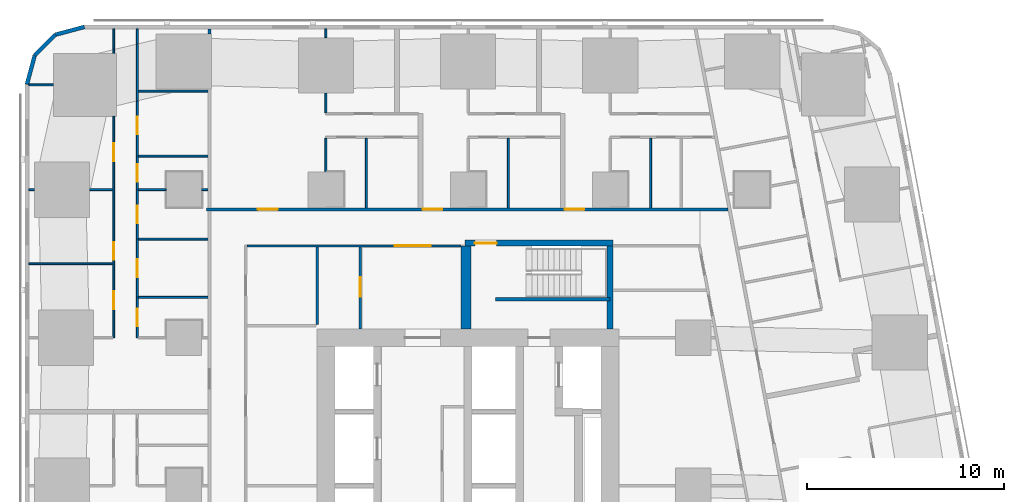
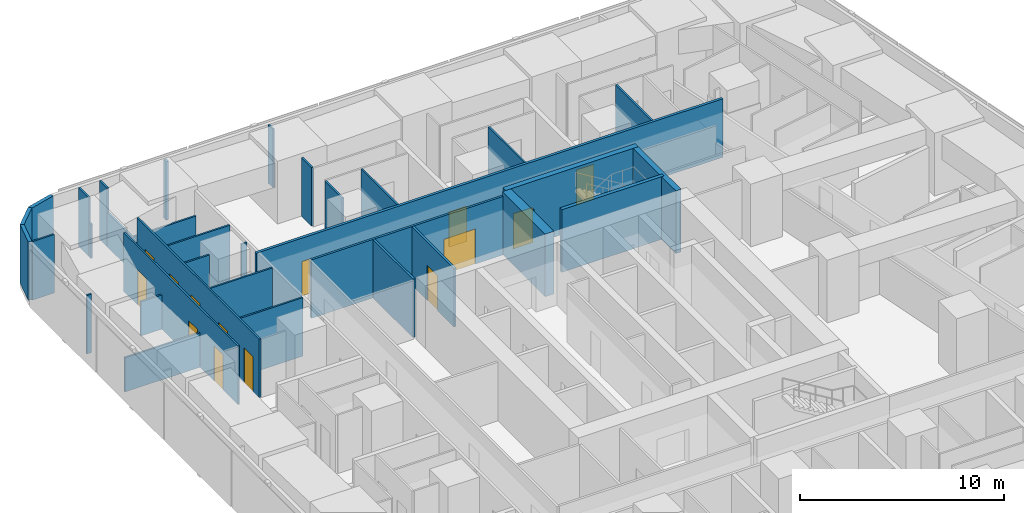
# One storey, part 8 of 15: 34 walls, 14 doors, 14 openings.
"""IFC4 building model written with IfcOpenShell, lengths in metres."""

from ifc_helpers import new_model, si_unit, direction, frame, frame_2d, origin, place, context, subcontext, project, spatial, rectangle, extrude, material, layer, layer_set, type_object, element, fill, save


model = new_model("IFC4")

# Units and contexts
model_context = context("Model", 3, precision=1e-05, world=origin(), true_north=direction((0.0, 1.0)))
body_context = subcontext(model_context, "Body", "Model", "MODEL_VIEW")
ifc_project = project(units=[si_unit("LENGTHUNIT", "METRE"), si_unit("AREAUNIT", "SQUARE_METRE"), si_unit("VOLUMEUNIT", "CUBIC_METRE"), si_unit("PLANEANGLEUNIT", "RADIAN"), si_unit("MASSUNIT", "GRAM", prefix="KILO")], contexts=[model_context])

# Site, building, storey
site_placement = place(None, origin())
site = spatial("IfcSite", under=ifc_project, at=site_placement, CompositionType="ELEMENT")
building_placement = place(site_placement, origin())
building = spatial("IfcBuilding", under=site, at=building_placement, Name="Sheger Commons Tower", CompositionType="ELEMENT")
storey_placement = place(building_placement, frame((0.0, 0.0, 65.0)))
storey = spatial("IfcBuildingStorey", under=building, at=storey_placement, Name="L16", CompositionType="ELEMENT", Elevation=65.0)

# Wall
ifc_material_1 = material(Name="Hollow concrete block masonry, skimmed both sides", Category="masonry")
ifc_layer_1 = layer(ifc_material_1, 0.14990234375)
ifc_layer_set_1 = layer_set([ifc_layer_1], Name="CORRIDOR WALL 150")
wall_type_1 = type_object("IfcWallType", Name="CORRIDOR WALL 150", PredefinedType="SOLIDWALL", material=ifc_layer_set_1)
wall_1_placement = place(storey_placement, frame((8.5, 45.40087890625, 0.0), z_axis=(0.0, 0.0, 1.0), x_axis=(0.0, 1.0, 0.0)))
element("IfcWall", 1, at=wall_1_placement, inside=storey, type_object=wall_type_1, Name="Corridor wall L16", PredefinedType="SOLIDWALL", context=body_context, shape_type="SweptSolid", body=[
    extrude(rectangle(XDim=0.2490234375, YDim=0.14990234375, at=frame_2d((0.12451171875, 0.0))), origin(), (0.0, 0.0, 1.0), 3.5),
])

# Wall, openings, doors
wall_2_placement = place(storey_placement, frame((8.35009765625, 36.5, 0.0), z_axis=(0.0, 0.0, 1.0), x_axis=(1.0, 0.0, 0.0)))
wall_2 = element("IfcWall", 2, at=wall_2_placement, inside=storey, type_object=wall_type_1, Name="Corridor wall L16", PredefinedType="SOLIDWALL", context=body_context, shape_type="SweptSolid", body=[
    extrude(rectangle(XDim=26.414794921875, YDim=0.14990234375, at=frame_2d((13.20751953125, 0.0))), origin(), (0.0, 0.0, 1.0), 3.5),
])
opening_1_placement = place(wall_2_placement, frame((2.60009765625, 0.0, 0.0)))
opening_1 = element("IfcOpeningElement", 3, at=opening_1_placement, cuts=wall_2, Name="Opening D1", PredefinedType="OPENING", context=body_context, shape_type="SweptSolid", body=[
    extrude(rectangle(XDim=1.0, YDim=2.10009765625, at=frame_2d((0.5, 1.050048828125))), frame((0.0, 0.0849609375, 0.0), z_axis=(0.0, -1.0, 0.0), x_axis=(1.0, 0.0, 0.0)), (0.0, 0.0, 1.0), 0.169921875),
])
opening_2_placement = place(wall_2_placement, frame((10.948974609375, 0.0, 0.0)))
opening_2 = element("IfcOpeningElement", 4, at=opening_2_placement, cuts=wall_2, Name="Opening D1", PredefinedType="OPENING", context=body_context, shape_type="SweptSolid", body=[
    extrude(rectangle(XDim=1.0, YDim=2.10009765625, at=frame_2d((0.5, 1.050048828125))), frame((0.0, 0.0849609375, 0.0), z_axis=(0.0, -1.0, 0.0), x_axis=(1.0, 0.0, 0.0)), (0.0, 0.0, 1.0), 0.169921875),
])
opening_3_placement = place(wall_2_placement, frame((18.14892578125, 0.0, 0.0)))
opening_3 = element("IfcOpeningElement", 5, at=opening_3_placement, cuts=wall_2, Name="Opening D1", PredefinedType="OPENING", context=body_context, shape_type="SweptSolid", body=[
    extrude(rectangle(XDim=1.0, YDim=2.10009765625, at=frame_2d((0.5, 1.050048828125))), frame((0.0, 0.0849609375, 0.0), z_axis=(0.0, -1.0, 0.0), x_axis=(1.0, 0.0, 0.0)), (0.0, 0.0, 1.0), 0.169921875),
])
ifc_material_2 = material(Name="Steel door set, fire rated", Category="steel")
door_type_1 = type_object("IfcDoorType", Name="FLAT ENTRANCE DOOR 1000x2100", OperationType="NOTDEFINED", PredefinedType="DOOR", material=ifc_material_2)
door_1_placement = place(opening_1_placement, origin())
door_1 = element("IfcDoor", 6, at=door_1_placement, inside=storey, type_object=door_type_1, Name="Flat entrance door", OperationType="SINGLE_SWING_LEFT", OverallHeight=2.10009765625, OverallWidth=1.0, PredefinedType="DOOR", context=body_context, shape_type="SweptSolid", body=[
    extrude(rectangle(XDim=1.0, YDim=2.10009765625, at=frame_2d((0.5, 1.050048828125))), frame((0.0, 0.02490234375, 0.0), z_axis=(0.0, -1.0, 0.0), x_axis=(1.0, 0.0, 0.0)), (0.0, 0.0, 1.0), 0.050048828125),
])
fill(opening_1, door_1)
door_2_placement = place(opening_2_placement, origin())
door_2 = element("IfcDoor", 7, at=door_2_placement, inside=storey, type_object=door_type_1, Name="Flat entrance door", OperationType="SINGLE_SWING_LEFT", OverallHeight=2.10009765625, OverallWidth=1.0, PredefinedType="DOOR", context=body_context, shape_type="SweptSolid", body=[
    extrude(rectangle(XDim=1.0, YDim=2.10009765625, at=frame_2d((0.5, 1.050048828125))), frame((0.0, 0.02490234375, 0.0), z_axis=(0.0, -1.0, 0.0), x_axis=(1.0, 0.0, 0.0)), (0.0, 0.0, 1.0), 0.050048828125),
])
fill(opening_2, door_2)
door_3_placement = place(opening_3_placement, origin())
door_3 = element("IfcDoor", 8, at=door_3_placement, inside=storey, type_object=door_type_1, Name="Flat entrance door", OperationType="SINGLE_SWING_LEFT", OverallHeight=2.10009765625, OverallWidth=1.0, PredefinedType="DOOR", context=body_context, shape_type="SweptSolid", body=[
    extrude(rectangle(XDim=1.0, YDim=2.10009765625, at=frame_2d((0.5, 1.050048828125))), frame((0.0, 0.02490234375, 0.0), z_axis=(0.0, -1.0, 0.0), x_axis=(1.0, 0.0, 0.0)), (0.0, 0.0, 1.0), 0.050048828125),
])
fill(opening_3, door_3)

# Walls
ifc_material_3 = material(Name="Rendered concrete block masonry, dark grey", Category="masonry")
ifc_layer_2 = layer(ifc_material_3, 0.199951171875)
ifc_layer_set_2 = layer_set([ifc_layer_2], Name="FACADE WALL 200")
wall_type_2 = type_object("IfcWallType", Name="FACADE WALL 200", PredefinedType="SOLIDWALL", material=ifc_layer_set_2)
wall_3_placement = place(storey_placement, frame((2.1630859375, 45.75, 0.0), z_axis=(0.0, 0.0, 1.0), x_axis=(-0.965832000415, -0.259168954497, 0.0)))
element("IfcWall", 9, at=wall_3_placement, inside=storey, type_object=wall_type_2, Name="Facade wall L16", PredefinedType="SOLIDWALL", context=body_context, shape_type="SweptSolid", body=[
    extrude(rectangle(XDim=1.512939453125, YDim=0.199951171875, at=frame_2d((0.75634765625, 0.0))), origin(), (0.0, 0.0, 1.0), 3.5),
])
wall_4_placement = place(storey_placement, frame((0.701904296875, 45.35791015625, 0.0), z_axis=(0.0, 0.0, 1.0), x_axis=(-0.707106781187, -0.707106781187, 0.0)))
element("IfcWall", 10, at=wall_4_placement, inside=storey, type_object=wall_type_2, Name="Facade wall L16", PredefinedType="SOLIDWALL", context=body_context, shape_type="SweptSolid", body=[
    extrude(rectangle(XDim=1.498779296875, YDim=0.199951171875, at=frame_2d((0.74951171875, 0.0))), origin(), (0.0, 0.0, 1.0), 3.5),
])
wall_5_placement = place(storey_placement, frame((-0.35791015625, 44.298095703125, 0.0), z_axis=(0.0, 0.0, 1.0), x_axis=(-0.259168954497, -0.965832000415, 0.0)))
element("IfcWall", 11, at=wall_5_placement, inside=storey, type_object=wall_type_2, Name="Facade wall L16", PredefinedType="SOLIDWALL", context=body_context, shape_type="SweptSolid", body=[
    extrude(rectangle(XDim=1.512939453125, YDim=0.199951171875, at=frame_2d((0.75634765625, 0.0))), origin(), (0.0, 0.0, 1.0), 3.5),
])

# Wall, openings, doors
ifc_material_4 = material(Name="Gypsum board on steel studs", Category="steel")
ifc_layer_3 = layer(ifc_material_4, 0.10009765625)
ifc_layer_set_3 = layer_set([ifc_layer_3], Name="PARTITION 100")
wall_type_3 = type_object("IfcWallType", Name="PARTITION 100", PredefinedType="PARTITIONING", material=ifc_layer_set_3)
wall_6_placement = place(storey_placement, frame((3.64990234375, 30.0, 0.0), z_axis=(0.0, 0.0, 1.0), x_axis=(0.0, 1.0, 0.0)))
wall_6 = element("IfcWall", 12, at=wall_6_placement, inside=storey, type_object=wall_type_3, Name="Partition L16", PredefinedType="PARTITIONING", context=body_context, shape_type="SweptSolid", body=[
    extrude(rectangle(XDim=11.212890625, YDim=0.10009765625, at=frame_2d((5.6064453125, 0.0))), origin(), (0.0, 0.0, 1.0), 3.5),
])
opening_4_placement = place(wall_6_placement, frame((1.449951171875, 0.0, 0.0)))
opening_4 = element("IfcOpeningElement", 13, at=opening_4_placement, cuts=wall_6, Name="Opening D2", PredefinedType="OPENING", context=body_context, shape_type="SweptSolid", body=[
    extrude(rectangle(XDim=0.89990234375, YDim=2.10009765625, at=frame_2d((0.449951171875, 1.050048828125))), frame((0.0, 0.06005859375, 0.0), z_axis=(0.0, -1.0, 0.0), x_axis=(1.0, 0.0, 0.0)), (0.0, 0.0, 1.0), 0.1201171875),
])
opening_5_placement = place(wall_6_placement, frame((3.949951171875, 0.0, 0.0)))
opening_5 = element("IfcOpeningElement", 14, at=opening_5_placement, cuts=wall_6, Name="Opening D2", PredefinedType="OPENING", context=body_context, shape_type="SweptSolid", body=[
    extrude(rectangle(XDim=0.89990234375, YDim=2.10009765625, at=frame_2d((0.449951171875, 1.050048828125))), frame((0.0, 0.06005859375, 0.0), z_axis=(0.0, -1.0, 0.0), x_axis=(1.0, 0.0, 0.0)), (0.0, 0.0, 1.0), 0.1201171875),
])
opening_6_placement = place(wall_6_placement, frame((8.949951171875, 0.0, 0.0)))
opening_6 = element("IfcOpeningElement", 15, at=opening_6_placement, cuts=wall_6, Name="Opening D2", PredefinedType="OPENING", context=body_context, shape_type="SweptSolid", body=[
    extrude(rectangle(XDim=0.89990234375, YDim=2.10009765625, at=frame_2d((0.449951171875, 1.050048828125))), frame((0.0, 0.06005859375, 0.0), z_axis=(0.0, -1.0, 0.0), x_axis=(1.0, 0.0, 0.0)), (0.0, 0.0, 1.0), 0.1201171875),
])
ifc_material_5 = material(Name="Timber door set", Category="wood")
door_type_2 = type_object("IfcDoorType", Name="INTERNAL DOOR 900x2100", OperationType="NOTDEFINED", PredefinedType="DOOR", material=ifc_material_5)
door_4_placement = place(opening_4_placement, origin())
door_4 = element("IfcDoor", 16, at=door_4_placement, inside=storey, type_object=door_type_2, Name="Main bedroom door", OperationType="SINGLE_SWING_LEFT", OverallHeight=2.10009765625, OverallWidth=0.89990234375, PredefinedType="DOOR", context=body_context, shape_type="SweptSolid", body=[
    extrude(rectangle(XDim=0.89990234375, YDim=2.10009765625, at=frame_2d((0.449951171875, 1.050048828125))), frame((0.0, 0.02490234375, 0.0), z_axis=(0.0, -1.0, 0.0), x_axis=(1.0, 0.0, 0.0)), (0.0, 0.0, 1.0), 0.050048828125),
])
fill(opening_4, door_4)
door_5_placement = place(opening_5_placement, origin())
door_5 = element("IfcDoor", 17, at=door_5_placement, inside=storey, type_object=door_type_2, Name="Bedroom 2 door", OperationType="SINGLE_SWING_LEFT", OverallHeight=2.10009765625, OverallWidth=0.89990234375, PredefinedType="DOOR", context=body_context, shape_type="SweptSolid", body=[
    extrude(rectangle(XDim=0.89990234375, YDim=2.10009765625, at=frame_2d((0.449951171875, 1.050048828125))), frame((0.0, 0.02490234375, 0.0), z_axis=(0.0, -1.0, 0.0), x_axis=(1.0, 0.0, 0.0)), (0.0, 0.0, 1.0), 0.050048828125),
])
fill(opening_5, door_5)
door_6_placement = place(opening_6_placement, origin())
door_6 = element("IfcDoor", 18, at=door_6_placement, inside=storey, type_object=door_type_2, Name="Bedroom 3 door", OperationType="SINGLE_SWING_RIGHT", OverallHeight=2.10009765625, OverallWidth=0.89990234375, PredefinedType="DOOR", context=body_context, shape_type="SweptSolid", body=[
    extrude(rectangle(XDim=0.89990234375, YDim=2.10009765625, at=frame_2d((0.449951171875, 1.050048828125))), frame((0.0, 0.02490234375, 0.0), z_axis=(0.0, -1.0, 0.0), x_axis=(1.0, 0.0, 0.0)), (0.0, 0.0, 1.0), 0.050048828125),
])
fill(opening_6, door_6)

# Walls
wall_7_placement = place(storey_placement, frame((3.64990234375, 44.4150390625, 0.0), z_axis=(0.0, 0.0, 1.0), x_axis=(0.0, 1.0, 0.0)))
element("IfcWall", 19, at=wall_7_placement, inside=storey, type_object=wall_type_3, Name="Partition L16", PredefinedType="PARTITIONING", context=body_context, shape_type="SweptSolid", body=[
    extrude(rectangle(XDim=0.196044921875, YDim=0.10009765625, at=frame_2d((0.09814453125, 0.0))), origin(), (0.0, 0.0, 1.0), 2.050048828125),
])
wall_8_placement = place(storey_placement, frame((3.64990234375, 44.611083984375, 0.0), z_axis=(0.0, 0.0, 1.0), x_axis=(0.0, 1.0, 0.0)))
element("IfcWall", 20, at=wall_8_placement, inside=storey, type_object=wall_type_3, Name="Partition L16", PredefinedType="PARTITIONING", context=body_context, shape_type="SweptSolid", body=[
    extrude(rectangle(XDim=1.038818359375, YDim=0.10009765625, at=frame_2d((0.51953125, 0.0))), origin(), (0.0, 0.0, 1.0), 3.5),
])

# Wall, openings, doors
wall_9_placement = place(storey_placement, frame((4.85009765625, 30.0, 0.0), z_axis=(0.0, 0.0, 1.0), x_axis=(0.0, 1.0, 0.0)))
wall_9 = element("IfcWall", 21, at=wall_9_placement, inside=storey, type_object=wall_type_3, Name="Partition L16", PredefinedType="PARTITIONING", context=body_context, shape_type="SweptSolid", body=[
    extrude(rectangle(XDim=11.993896484375, YDim=0.10009765625, at=frame_2d((5.9970703125, 0.0))), origin(), (0.0, 0.0, 1.0), 3.5),
])
opening_7_placement = place(wall_9_placement, frame((0.574951171875, 0.0, 0.0)))
opening_7 = element("IfcOpeningElement", 22, at=opening_7_placement, cuts=wall_9, Name="Opening D2", PredefinedType="OPENING", context=body_context, shape_type="SweptSolid", body=[
    extrude(rectangle(XDim=0.89990234375, YDim=2.10009765625, at=frame_2d((0.449951171875, 1.050048828125))), frame((0.0, 0.06005859375, 0.0), z_axis=(0.0, -1.0, 0.0), x_axis=(1.0, 0.0, 0.0)), (0.0, 0.0, 1.0), 0.1201171875),
])
opening_8_placement = place(wall_9_placement, frame((5.799072265625, 0.0, 0.0)))
opening_8 = element("IfcOpeningElement", 23, at=opening_8_placement, cuts=wall_9, Name="Opening D2", PredefinedType="OPENING", context=body_context, shape_type="SweptSolid", body=[
    extrude(rectangle(XDim=0.89990234375, YDim=2.10009765625, at=frame_2d((0.449951171875, 1.050048828125))), frame((0.0, 0.06005859375, 0.0), z_axis=(0.0, -1.0, 0.0), x_axis=(1.0, 0.0, 0.0)), (0.0, 0.0, 1.0), 0.1201171875),
])
opening_9_placement = place(wall_9_placement, frame((7.89990234375, 0.0, 0.0)))
opening_9 = element("IfcOpeningElement", 24, at=opening_9_placement, cuts=wall_9, Name="Opening D2", PredefinedType="OPENING", context=body_context, shape_type="SweptSolid", body=[
    extrude(rectangle(XDim=0.89990234375, YDim=2.10009765625, at=frame_2d((0.449951171875, 1.050048828125))), frame((0.0, 0.06005859375, 0.0), z_axis=(0.0, -1.0, 0.0), x_axis=(1.0, 0.0, 0.0)), (0.0, 0.0, 1.0), 0.1201171875),
])
opening_10_placement = place(wall_9_placement, frame((3.074951171875, 0.0, 0.0)))
opening_10 = element("IfcOpeningElement", 25, at=opening_10_placement, cuts=wall_9, Name="Opening D2", PredefinedType="OPENING", context=body_context, shape_type="SweptSolid", body=[
    extrude(rectangle(XDim=0.89990234375, YDim=2.10009765625, at=frame_2d((0.449951171875, 1.050048828125))), frame((0.0, 0.06005859375, 0.0), z_axis=(0.0, -1.0, 0.0), x_axis=(1.0, 0.0, 0.0)), (0.0, 0.0, 1.0), 0.1201171875),
])
opening_11_placement = place(wall_9_placement, frame((10.300048828125, 0.0, 0.0)))
opening_11 = element("IfcOpeningElement", 26, at=opening_11_placement, cuts=wall_9, Name="Opening D2", PredefinedType="OPENING", context=body_context, shape_type="SweptSolid", body=[
    extrude(rectangle(XDim=0.89990234375, YDim=2.10009765625, at=frame_2d((0.449951171875, 1.050048828125))), frame((0.0, 0.06005859375, 0.0), z_axis=(0.0, -1.0, 0.0), x_axis=(1.0, 0.0, 0.0)), (0.0, 0.0, 1.0), 0.1201171875),
])
door_7_placement = place(opening_7_placement, origin())
door_7 = element("IfcDoor", 27, at=door_7_placement, inside=storey, type_object=door_type_2, Name="Bathroom door", OperationType="SINGLE_SWING_RIGHT", OverallHeight=2.10009765625, OverallWidth=0.89990234375, PredefinedType="DOOR", context=body_context, shape_type="SweptSolid", body=[
    extrude(rectangle(XDim=0.89990234375, YDim=2.10009765625, at=frame_2d((0.449951171875, 1.050048828125))), frame((0.0, 0.02490234375, 0.0), z_axis=(0.0, -1.0, 0.0), x_axis=(1.0, 0.0, 0.0)), (0.0, 0.0, 1.0), 0.050048828125),
])
fill(opening_7, door_7)
door_8_placement = place(opening_8_placement, origin())
door_8 = element("IfcDoor", 28, at=door_8_placement, inside=storey, type_object=door_type_2, Name="Store and laundry door", OperationType="SINGLE_SWING_LEFT", OverallHeight=2.10009765625, OverallWidth=0.89990234375, PredefinedType="DOOR", context=body_context, shape_type="SweptSolid", body=[
    extrude(rectangle(XDim=0.89990234375, YDim=2.10009765625, at=frame_2d((0.449951171875, 1.050048828125))), frame((0.0, 0.02490234375, 0.0), z_axis=(0.0, -1.0, 0.0), x_axis=(1.0, 0.0, 0.0)), (0.0, 0.0, 1.0), 0.050048828125),
])
fill(opening_8, door_8)
door_9_placement = place(opening_9_placement, origin())
door_9 = element("IfcDoor", 29, at=door_9_placement, inside=storey, type_object=door_type_2, Name="Laundry room door", OperationType="SINGLE_SWING_LEFT", OverallHeight=2.10009765625, OverallWidth=0.89990234375, PredefinedType="DOOR", context=body_context, shape_type="SweptSolid", body=[
    extrude(rectangle(XDim=0.89990234375, YDim=2.10009765625, at=frame_2d((0.449951171875, 1.050048828125))), frame((0.0, 0.02490234375, 0.0), z_axis=(0.0, -1.0, 0.0), x_axis=(1.0, 0.0, 0.0)), (0.0, 0.0, 1.0), 0.050048828125),
])
fill(opening_9, door_9)
door_10_placement = place(opening_10_placement, origin())
door_10 = element("IfcDoor", 30, at=door_10_placement, inside=storey, type_object=door_type_2, Name="Store door", OperationType="SINGLE_SWING_RIGHT", OverallHeight=2.10009765625, OverallWidth=0.89990234375, PredefinedType="DOOR", context=body_context, shape_type="SweptSolid", body=[
    extrude(rectangle(XDim=0.89990234375, YDim=2.10009765625, at=frame_2d((0.449951171875, 1.050048828125))), frame((0.0, 0.02490234375, 0.0), z_axis=(0.0, -1.0, 0.0), x_axis=(1.0, 0.0, 0.0)), (0.0, 0.0, 1.0), 0.050048828125),
])
fill(opening_10, door_10)
door_11_placement = place(opening_11_placement, origin())
door_11 = element("IfcDoor", 31, at=door_11_placement, inside=storey, type_object=door_type_2, Name="Store door", OperationType="SINGLE_SWING_LEFT", OverallHeight=2.10009765625, OverallWidth=0.89990234375, PredefinedType="DOOR", context=body_context, shape_type="SweptSolid", body=[
    extrude(rectangle(XDim=0.89990234375, YDim=2.10009765625, at=frame_2d((0.449951171875, 1.050048828125))), frame((0.0, 0.02490234375, 0.0), z_axis=(0.0, -1.0, 0.0), x_axis=(1.0, 0.0, 0.0)), (0.0, 0.0, 1.0), 0.050048828125),
])
fill(opening_11, door_11)

# Walls
wall_10_placement = place(storey_placement, frame((4.85009765625, 41.993896484375, 0.0), z_axis=(0.0, 0.0, 1.0), x_axis=(0.0, 1.0, 0.0)))
element("IfcWall", 32, at=wall_10_placement, inside=storey, type_object=wall_type_3, Name="Partition L16", PredefinedType="PARTITIONING", context=body_context, shape_type="SweptSolid", body=[
    extrude(rectangle(XDim=2.901123046875, YDim=0.10009765625, at=frame_2d((1.45068359375, 0.0))), origin(), (0.0, 0.0, 1.0), 2.050048828125),
])
wall_11_placement = place(storey_placement, frame((4.85009765625, 44.89501953125, 0.0), z_axis=(0.0, 0.0, 1.0), x_axis=(0.0, 1.0, 0.0)))
element("IfcWall", 33, at=wall_11_placement, inside=storey, type_object=wall_type_3, Name="Partition L16", PredefinedType="PARTITIONING", context=body_context, shape_type="SweptSolid", body=[
    extrude(rectangle(XDim=0.7548828125, YDim=0.10009765625, at=frame_2d((0.37744140625, 0.0))), origin(), (0.0, 0.0, 1.0), 3.5),
])
wall_12_placement = place(storey_placement, frame((-0.64990234375, 33.75, 0.0), z_axis=(0.0, 0.0, 1.0), x_axis=(1.0, 0.0, 0.0)))
element("IfcWall", 34, at=wall_12_placement, inside=storey, type_object=wall_type_3, Name="Partition L16", PredefinedType="PARTITIONING", context=body_context, shape_type="SweptSolid", body=[
    extrude(rectangle(XDim=4.25, YDim=0.10009765625, at=frame_2d((2.125, 0.0))), origin(), (0.0, 0.0, 1.0), 2.050048828125),
])
wall_13_placement = place(storey_placement, frame((-0.64990234375, 37.5, 0.0), z_axis=(0.0, 0.0, 1.0), x_axis=(1.0, 0.0, 0.0)))
element("IfcWall", 35, at=wall_13_placement, inside=storey, type_object=wall_type_3, Name="Partition L16", PredefinedType="PARTITIONING", context=body_context, shape_type="SweptSolid", body=[
    extrude(rectangle(XDim=0.27392578125, YDim=0.10009765625, at=frame_2d((0.136962890625, 0.0))), origin(), (0.0, 0.0, 1.0), 3.5),
])
wall_14_placement = place(storey_placement, frame((2.426025390625, 37.5, 0.0), z_axis=(0.0, 0.0, 1.0), x_axis=(1.0, 0.0, 0.0)))
element("IfcWall", 36, at=wall_14_placement, inside=storey, type_object=wall_type_3, Name="Partition L16", PredefinedType="PARTITIONING", context=body_context, shape_type="SweptSolid", body=[
    extrude(rectangle(XDim=1.174072265625, YDim=0.10009765625, at=frame_2d((0.5869140625, 0.0))), origin(), (0.0, 0.0, 1.0), 2.050048828125),
])
wall_15_placement = place(storey_placement, frame((-0.64990234375, 42.81396484375, 0.0), z_axis=(0.0, 0.0, 1.0), x_axis=(1.0, 0.0, 0.0)))
element("IfcWall", 37, at=wall_15_placement, inside=storey, type_object=wall_type_3, Name="Partition L16", PredefinedType="PARTITIONING", context=body_context, shape_type="SweptSolid", body=[
    extrude(rectangle(XDim=1.23486328125, YDim=0.10009765625, at=frame_2d((0.617431640625, 0.0))), origin(), (0.0, 0.0, 1.0), 3.5),
])
wall_16_placement = place(storey_placement, frame((4.89990234375, 34.9990234375, 0.0), z_axis=(0.0, 0.0, 1.0), x_axis=(1.0, 0.0, 0.0)))
element("IfcWall", 38, at=wall_16_placement, inside=storey, type_object=wall_type_3, Name="Partition L16", PredefinedType="PARTITIONING", context=body_context, shape_type="SweptSolid", body=[
    extrude(rectangle(XDim=3.525146484375, YDim=0.10009765625, at=frame_2d((1.7626953125, 0.0))), origin(), (0.0, 0.0, 1.0), 3.5),
])
wall_17_placement = place(storey_placement, frame((4.89990234375, 37.5, 0.0), z_axis=(0.0, 0.0, 1.0), x_axis=(1.0, 0.0, 0.0)))
element("IfcWall", 39, at=wall_17_placement, inside=storey, type_object=wall_type_3, Name="Partition L16", PredefinedType="PARTITIONING", context=body_context, shape_type="SweptSolid", body=[
    extrude(rectangle(XDim=1.399169921875, YDim=0.10009765625, at=frame_2d((0.69970703125, 0.0))), origin(), (0.0, 0.0, 1.0), 3.5),
])
wall_18_placement = place(storey_placement, frame((8.10107421875, 37.5, 0.0), z_axis=(0.0, 0.0, 1.0), x_axis=(1.0, 0.0, 0.0)))
element("IfcWall", 40, at=wall_18_placement, inside=storey, type_object=wall_type_3, Name="Partition L16", PredefinedType="PARTITIONING", context=body_context, shape_type="SweptSolid", body=[
    extrude(rectangle(XDim=0.323974609375, YDim=0.10009765625, at=frame_2d((0.162109375, 0.0))), origin(), (0.0, 0.0, 1.0), 3.5),
])
wall_19_placement = place(storey_placement, frame((4.89990234375, 42.4990234375, 0.0), z_axis=(0.0, 0.0, 1.0), x_axis=(1.0, 0.0, 0.0)))
element("IfcWall", 41, at=wall_19_placement, inside=storey, type_object=wall_type_3, Name="Partition L16", PredefinedType="PARTITIONING", context=body_context, shape_type="SweptSolid", body=[
    extrude(rectangle(XDim=3.525146484375, YDim=0.10009765625, at=frame_2d((1.7626953125, 0.0))), origin(), (0.0, 0.0, 1.0), 2.050048828125),
])
for number, where, z_axis, x_axis, name in (
    (42, (4.89990234375, 32.050048828125, 0.0), (0.0, 0.0, 1.0), (1.0, 0.0, 0.0), "Partition L16"),
    (43, (4.89990234375, 39.199951171875, 0.0), (0.0, 0.0, 1.0), (1.0, 0.0, 0.0), "Partition L16"),
):
    element("IfcWall", number, at=place(storey_placement, frame(where, z_axis=z_axis, x_axis=x_axis)), inside=storey, type_object=wall_type_3, Name=name, PredefinedType="PARTITIONING", context=body_context, shape_type="SweptSolid", body=[
        extrude(rectangle(XDim=3.525146484375, YDim=0.10009765625, at=frame_2d((1.7626953125, 0.0))), origin(), (0.0, 0.0, 1.0), 3.5),
    ])
wall_20_placement = place(storey_placement, frame((14.39990234375, 41.39990234375, 0.0), z_axis=(0.0, 0.0, 1.0), x_axis=(0.0, 1.0, 0.0)))
element("IfcWall", 44, at=wall_20_placement, inside=storey, type_object=wall_type_3, Name="Partition L16", PredefinedType="PARTITIONING", context=body_context, shape_type="SweptSolid", body=[
    extrude(rectangle(XDim=0.9990234375, YDim=0.10009765625, at=frame_2d((0.49951171875, 0.0))), origin(), (0.0, 0.0, 1.0), 3.5),
])
wall_21_placement = place(storey_placement, frame((14.39990234375, 45.200927734375, 0.0), z_axis=(0.0, 0.0, 1.0), x_axis=(0.0, 1.0, 0.0)))
element("IfcWall", 45, at=wall_21_placement, inside=storey, type_object=wall_type_3, Name="Partition L16", PredefinedType="PARTITIONING", context=body_context, shape_type="SweptSolid", body=[
    extrude(rectangle(XDim=0.448974609375, YDim=0.10009765625, at=frame_2d((0.224609375, 0.0))), origin(), (0.0, 0.0, 1.0), 3.5),
])
wall_22_placement = place(storey_placement, frame((14.39990234375, 38.40087890625, 0.0), z_axis=(0.0, 0.0, 1.0), x_axis=(0.0, 1.0, 0.0)))
element("IfcWall", 46, at=wall_22_placement, inside=storey, type_object=wall_type_3, Name="Partition L16", PredefinedType="PARTITIONING", context=body_context, shape_type="SweptSolid", body=[
    extrude(rectangle(XDim=1.69921875, YDim=0.10009765625, at=frame_2d((0.849609375, 0.0))), origin(), (0.0, 0.0, 1.0), 3.5),
])
for number, where, z_axis, x_axis, name in (
    (47, (16.449951171875, 36.574951171875, 0.0), (0.0, 0.0, 1.0), (0.0, 1.0, 0.0), "Partition L16"),
    (48, (23.64990234375, 36.574951171875, 0.0), (0.0, 0.0, 1.0), (0.0, 1.0, 0.0), "Partition L16"),
    (49, (30.85009765625, 36.574951171875, 0.0), (0.0, 0.0, 1.0), (0.0, 1.0, 0.0), "Partition L16"),
):
    element("IfcWall", number, at=place(storey_placement, frame(where, z_axis=z_axis, x_axis=x_axis)), inside=storey, type_object=wall_type_3, Name=name, PredefinedType="PARTITIONING", context=body_context, shape_type="SweptSolid", body=[
        extrude(rectangle(XDim=3.525146484375, YDim=0.10009765625, at=frame_2d((1.7626953125, 0.0))), origin(), (0.0, 0.0, 1.0), 3.5),
    ])
ifc_material_6 = material(Name="Gypsum board on steel studs, two layers each side, fire rated", Category="steel")
ifc_layer_4 = layer(ifc_material_6, 0.125)
ifc_layer_set_4 = layer_set([ifc_layer_4], Name="SERVICE WALL 125")
wall_type_4 = type_object("IfcWallType", Name="SERVICE WALL 125", PredefinedType="PARTITIONING", material=ifc_layer_set_4)
wall_23_placement = place(storey_placement, frame((13.949951171875, 30.6630859375, 0.0), z_axis=(0.0, 0.0, 1.0), x_axis=(0.0, 1.0, 0.0)))
element("IfcWall", 50, at=wall_23_placement, inside=storey, type_object=wall_type_4, Name="Service room wall L16", PredefinedType="PARTITIONING", context=body_context, shape_type="SweptSolid", body=[
    extrude(rectangle(XDim=3.923828125, YDim=0.125, at=frame_2d((1.9619140625, 0.0))), origin(), (0.0, 0.0, 1.0), 3.5),
])

# Wall, opening, door
wall_24_placement = place(storey_placement, frame((10.4130859375, 34.64990234375, 0.0), z_axis=(0.0, 0.0, 1.0), x_axis=(1.0, 0.0, 0.0)))
wall_24 = element("IfcWall", 51, at=wall_24_placement, inside=storey, type_object=wall_type_4, Name="Service room wall L16", PredefinedType="PARTITIONING", context=body_context, shape_type="SweptSolid", body=[
    extrude(rectangle(XDim=10.8369140625, YDim=0.125, at=frame_2d((5.41845703125, 0.0))), origin(), (0.0, 0.0, 1.0), 3.5),
])
opening_12_placement = place(wall_24_placement, frame((7.487060546875, 0.0, 0.0)))
opening_12 = element("IfcOpeningElement", 52, at=opening_12_placement, cuts=wall_24, Name="Opening D6", PredefinedType="OPENING", context=body_context, shape_type="SweptSolid", body=[
    extrude(rectangle(XDim=1.800048828125, YDim=2.10009765625, at=frame_2d((0.89990234375, 1.050048828125))), frame((0.0, 0.072509765625, 0.0), z_axis=(0.0, -1.0, 0.0), x_axis=(1.0, 0.0, 0.0)), (0.0, 0.0, 1.0), 0.14501953125),
])
ifc_material_7 = material(Name="Steel door set, fire rated", Category="steel")
door_type_3 = type_object("IfcDoorType", Name="LOBBY DOUBLE DOOR 1800x2100", OperationType="DOUBLE_DOOR_SINGLE_SWING", PredefinedType="DOOR", material=ifc_material_7)
door_12_placement = place(opening_12_placement, origin())
door_12 = element("IfcDoor", 53, at=door_12_placement, inside=storey, type_object=door_type_3, Name="Lift lobby north door", OperationType="DOUBLE_DOOR_SINGLE_SWING", OverallHeight=2.10009765625, OverallWidth=1.800048828125, PredefinedType="DOOR", context=body_context, shape_type="SweptSolid", body=[
    extrude(rectangle(XDim=1.800048828125, YDim=2.10009765625, at=frame_2d((0.89990234375, 1.050048828125))), frame((0.0, 0.02490234375, 0.0), z_axis=(0.0, -1.0, 0.0), x_axis=(1.0, 0.0, 0.0)), (0.0, 0.0, 1.0), 0.050048828125),
])
fill(opening_12, door_12)

wall_25_placement = place(storey_placement, frame((16.14990234375, 30.449951171875, 0.0), z_axis=(0.0, 0.0, 1.0), x_axis=(0.0, 1.0, 0.0)))
wall_25 = element("IfcWall", 54, at=wall_25_placement, inside=storey, type_object=wall_type_4, Name="Service room wall L16", PredefinedType="PARTITIONING", context=body_context, shape_type="SweptSolid", body=[
    extrude(rectangle(XDim=4.136962890625, YDim=0.125, at=frame_2d((2.068359375, 0.0))), origin(), (0.0, 0.0, 1.0), 3.5),
])
opening_13_placement = place(wall_25_placement, frame((1.625, 0.0, 0.0)))
opening_13 = element("IfcOpeningElement", 55, at=opening_13_placement, cuts=wall_25, Name="Opening D4", PredefinedType="OPENING", context=body_context, shape_type="SweptSolid", body=[
    extrude(rectangle(XDim=1.0, YDim=2.10009765625, at=frame_2d((0.5, 1.050048828125))), frame((0.0, 0.072509765625, 0.0), z_axis=(0.0, -1.0, 0.0), x_axis=(1.0, 0.0, 0.0)), (0.0, 0.0, 1.0), 0.14501953125),
])
ifc_material_8 = material(Name="Steel door set, fire rated", Category="steel")
door_type_4 = type_object("IfcDoorType", Name="SERVICE DOOR 1000x2100", OperationType="NOTDEFINED", PredefinedType="DOOR", material=ifc_material_8)
door_13_placement = place(opening_13_placement, origin())
door_13 = element("IfcDoor", 56, at=door_13_placement, inside=storey, type_object=door_type_4, Name="Telecom room door", OperationType="SINGLE_SWING_RIGHT", OverallHeight=2.10009765625, OverallWidth=1.0, PredefinedType="DOOR", context=body_context, shape_type="SweptSolid", body=[
    extrude(rectangle(XDim=1.0, YDim=2.10009765625, at=frame_2d((0.5, 1.050048828125))), frame((0.0, 0.02490234375, 0.0), z_axis=(0.0, -1.0, 0.0), x_axis=(1.0, 0.0, 0.0)), (0.0, 0.0, 1.0), 0.050048828125),
])
fill(opening_13, door_13)

ifc_material_9 = material(Name="Concrete C50/60", Category="concrete")
ifc_layer_5 = layer(ifc_material_9, 0.300048828125)
ifc_layer_set_5 = layer_set([ifc_layer_5], Name="STAIR CORE WALL 300")
wall_type_5 = type_object("IfcWallType", Name="STAIR CORE WALL 300", PredefinedType="SHEAR", material=ifc_layer_set_5)
wall_26_placement = place(storey_placement, frame((21.449951171875, 34.800048828125, 0.0), z_axis=(0.0, 0.0, 1.0), x_axis=(1.0, 0.0, 0.0)))
wall_26 = element("IfcWall", 57, at=wall_26_placement, inside=storey, type_object=wall_type_5, Name="STW-L16-S2N", PredefinedType="SHEAR", context=body_context, shape_type="SweptSolid", body=[
    extrude(rectangle(XDim=7.5, YDim=0.300048828125, at=frame_2d((3.75, 0.0))), origin(), (0.0, 0.0, 1.0), 3.75),
])
opening_14_placement = place(wall_26_placement, frame((0.5, 0.0, 0.0)))
opening_14 = element("IfcOpeningElement", 58, at=opening_14_placement, cuts=wall_26, Name="Opening D5", PredefinedType="OPENING", context=body_context, shape_type="SweptSolid", body=[
    extrude(rectangle(XDim=1.10009765625, YDim=2.10009765625, at=frame_2d((0.550048828125, 1.050048828125))), frame((0.0, 0.159912109375, 0.0), z_axis=(0.0, -1.0, 0.0), x_axis=(1.0, 0.0, 0.0)), (0.0, 0.0, 1.0), 0.320068359375),
])
ifc_material_10 = material(Name="Steel door set, fire rated", Category="steel")
door_type_5 = type_object("IfcDoorType", Name="STAIR DOOR 1100x2100", OperationType="NOTDEFINED", PredefinedType="DOOR", material=ifc_material_10)
door_14_placement = place(opening_14_placement, origin())
door_14 = element("IfcDoor", 59, at=door_14_placement, inside=storey, type_object=door_type_5, Name="Stair S2 door", OperationType="SINGLE_SWING_RIGHT", OverallHeight=2.10009765625, OverallWidth=1.10009765625, PredefinedType="DOOR", context=body_context, shape_type="SweptSolid", body=[
    extrude(rectangle(XDim=1.10009765625, YDim=2.10009765625, at=frame_2d((0.550048828125, 1.050048828125))), frame((0.0, 0.02490234375, 0.0), z_axis=(0.0, -1.0, 0.0), x_axis=(1.0, 0.0, 0.0)), (0.0, 0.0, 1.0), 0.050048828125),
])
fill(opening_14, door_14)

# Walls
wall_27_placement = place(storey_placement, frame((28.800048828125, 30.449951171875, 0.0), z_axis=(0.0, 0.0, 1.0), x_axis=(0.0, 1.0, 0.0)))
element("IfcWall", 60, at=wall_27_placement, inside=storey, type_object=wall_type_5, Name="STW-L16-S2E", PredefinedType="SHEAR", context=body_context, shape_type="SweptSolid", body=[
    extrude(rectangle(XDim=4.199951171875, YDim=0.300048828125, at=frame_2d((2.10009765625, 0.0))), origin(), (0.0, 0.0, 1.0), 3.75),
])
ifc_material_11 = material(Name="Concrete C50/60", Category="concrete")
ifc_layer_6 = layer(ifc_material_11, 0.5)
ifc_layer_set_6 = layer_set([ifc_layer_6], Name="STAIR CORE WALL 500")
wall_type_6 = type_object("IfcWallType", Name="STAIR CORE WALL 500", PredefinedType="SHEAR", material=ifc_layer_set_6)
wall_28_placement = place(storey_placement, frame((21.5, 30.449951171875, 0.0), z_axis=(0.0, 0.0, 1.0), x_axis=(0.0, 1.0, 0.0)))
element("IfcWall", 61, at=wall_28_placement, inside=storey, type_object=wall_type_6, Name="STW-L16-S2W", PredefinedType="SHEAR", context=body_context, shape_type="SweptSolid", body=[
    extrude(rectangle(XDim=4.199951171875, YDim=0.5, at=frame_2d((2.10009765625, 0.0))), origin(), (0.0, 0.0, 1.0), 3.75),
])
ifc_material_12 = material(Name="Concrete C50/60", Category="concrete")
ifc_layer_7 = layer(ifc_material_12, 0.199951171875)
ifc_layer_set_7 = layer_set([ifc_layer_7], Name="STAIR SPINE WALL 200")
wall_type_7 = type_object("IfcWallType", Name="STAIR SPINE WALL 200", PredefinedType="SHEAR", material=ifc_layer_set_7)
wall_29_placement = place(storey_placement, frame((23.0, 31.949951171875, 0.0), z_axis=(0.0, 0.0, 1.0), x_axis=(1.0, 0.0, 0.0)))
element("IfcWall", 62, at=wall_29_placement, inside=storey, type_object=wall_type_7, Name="Stair spine wall L16", PredefinedType="SHEAR", context=body_context, shape_type="SweptSolid", body=[
    extrude(rectangle(XDim=5.800048828125, YDim=0.199951171875, at=frame_2d((2.89990234375, 0.0))), origin(), (0.0, 0.0, 1.0), 3.75),
])

save(model, "model.ifc")
